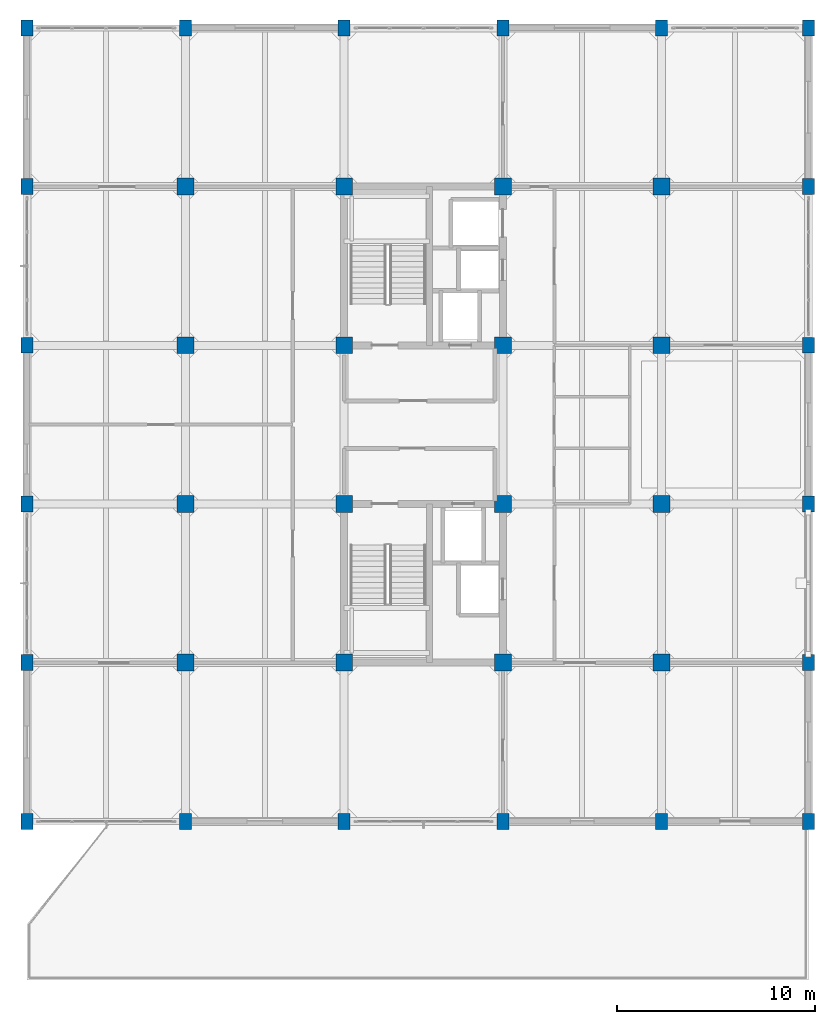
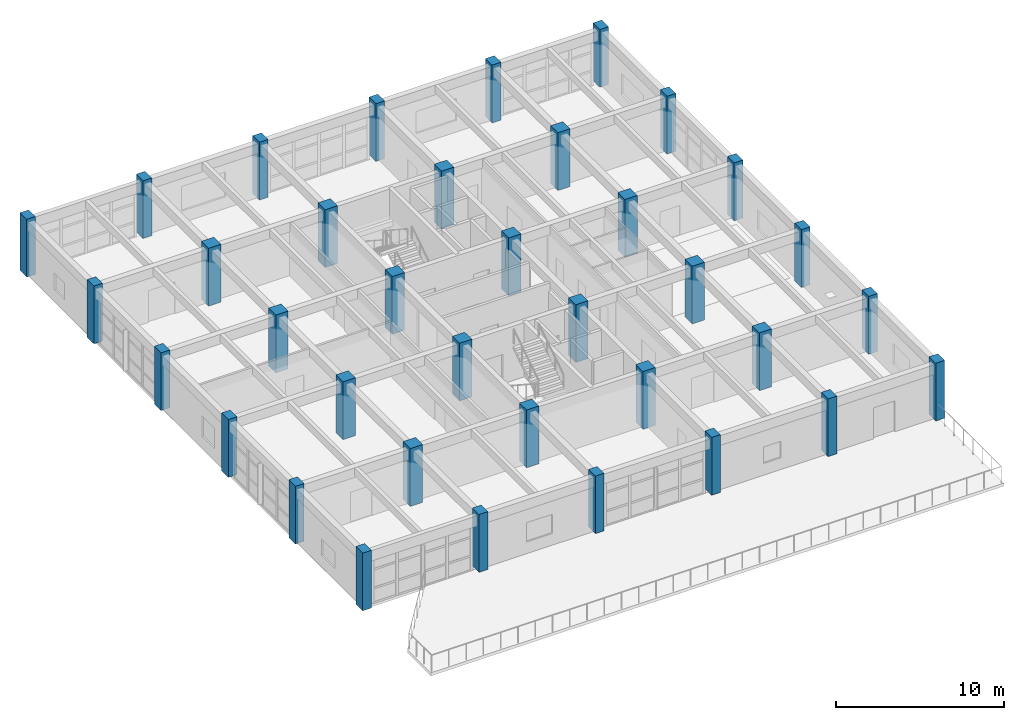
# One storey, part 1 of 30: 36 columns.
"""IFC4 building model written with IfcOpenShell, lengths in metres."""

from ifc_helpers import new_model, si_unit, direction, frame, origin, origin_2d, place, context, subcontext, project, spatial, rectangle, extrude, material, material_profile, profile_set, type_object, element, save


model = new_model("IFC4")

# Units and contexts
model_context = context("Model", 3, precision=1e-05, world=origin(), true_north=direction((0.0, 1.0)))
body_context = subcontext(model_context, "Body", "Model", "MODEL_VIEW")
ifc_project = project(units=[si_unit("LENGTHUNIT", "METRE"), si_unit("AREAUNIT", "SQUARE_METRE"), si_unit("VOLUMEUNIT", "CUBIC_METRE"), si_unit("PLANEANGLEUNIT", "RADIAN"), si_unit("MASSUNIT", "GRAM", prefix="KILO")], contexts=[model_context])

# Site, building, storey
site_placement = place(None, origin())
site = spatial("IfcSite", under=ifc_project, at=site_placement, CompositionType="ELEMENT")
building_placement = place(site_placement, origin())
building = spatial("IfcBuilding", under=site, at=building_placement, Name="Canggui Botanical Conservatory", CompositionType="ELEMENT")
storey_placement = place(building_placement, frame((0.0, 0.0, 27.60009765625)))
storey = spatial("IfcBuildingStorey", under=building, at=storey_placement, Name="L07", CompositionType="ELEMENT", Elevation=27.60009765625)

# Columns
ifc_material = material(Name="Concrete C40", Category="concrete")
ifc_material_profile_1 = material_profile(ifc_material, rectangle(XDim=0.85009765625, YDim=0.85009765625, at=origin_2d()), Name="RC 850x850")
ifc_profile_set_1 = profile_set([ifc_material_profile_1], Name="Concrete C40")
column_type_1 = type_object("IfcColumnType", Name="COL-KZ06", PredefinedType="COLUMN", material=ifc_profile_set_1)
for number, where, z_axis, x_axis, name in (
    (1, (146.0, 42.0, 0.0), (0.0, 0.0, 1.0), (1.0, 0.0, 0.0), "Tower RC Column L07 (146,42)"),
    (2, (146.0, 50.0, 0.0), (0.0, 0.0, 1.0), (1.0, 0.0, 0.0), "Tower RC Column L07 (146,50)"),
    (3, (146.0, 58.0, 0.0), (0.0, 0.0, 1.0), (1.0, 0.0, 0.0), "Tower RC Column L07 (146,58)"),
    (4, (146.0, 66.0, 0.0), (0.0, 0.0, 1.0), (1.0, 0.0, 0.0), "Tower RC Column L07 (146,66)"),
    (5, (154.0, 42.0, 0.0), (0.0, 0.0, 1.0), (1.0, 0.0, 0.0), "Tower RC Column L07 (154,42)"),
    (6, (154.0, 50.0, 0.0), (0.0, 0.0, 1.0), (1.0, 0.0, 0.0), "Tower RC Column L07 (154,50)"),
    (7, (154.0, 58.0, 0.0), (0.0, 0.0, 1.0), (1.0, 0.0, 0.0), "Tower RC Column L07 (154,58)"),
    (8, (154.0, 66.0, 0.0), (0.0, 0.0, 1.0), (1.0, 0.0, 0.0), "Tower RC Column L07 (154,66)"),
    (9, (162.0, 42.0, 0.0), (0.0, 0.0, 1.0), (1.0, 0.0, 0.0), "Tower RC Column L07 (162,42)"),
    (10, (162.0, 50.0, 0.0), (0.0, 0.0, 1.0), (1.0, 0.0, 0.0), "Tower RC Column L07 (162,50)"),
    (11, (162.0, 58.0, 0.0), (0.0, 0.0, 1.0), (1.0, 0.0, 0.0), "Tower RC Column L07 (162,58)"),
    (12, (162.0, 66.0, 0.0), (0.0, 0.0, 1.0), (1.0, 0.0, 0.0), "Tower RC Column L07 (162,66)"),
    (13, (170.0, 42.0, 0.0), (0.0, 0.0, 1.0), (1.0, 0.0, 0.0), "Tower RC Column L07 (170,42)"),
    (14, (170.0, 50.0, 0.0), (0.0, 0.0, 1.0), (1.0, 0.0, 0.0), "Tower RC Column L07 (170,50)"),
    (15, (170.0, 58.0, 0.0), (0.0, 0.0, 1.0), (1.0, 0.0, 0.0), "Tower RC Column L07 (170,58)"),
    (16, (170.0, 66.0, 0.0), (0.0, 0.0, 1.0), (1.0, 0.0, 0.0), "Tower RC Column L07 (170,66)"),
):
    element("IfcColumn", number, at=place(storey_placement, frame(where, z_axis=z_axis, x_axis=x_axis)), inside=storey, type_object=column_type_1, Name=name, PredefinedType="COLUMN", context=body_context, shape_type="SweptSolid", body=[
        extrude(rectangle(XDim=0.85009765625, YDim=0.85009765625, at=origin_2d()), origin(), (0.0, 0.0, 1.0), 4.199951171875),
    ])
ifc_material_profile_2 = material_profile(ifc_material, rectangle(XDim=0.60009765625, YDim=0.800048828125, at=origin_2d()), Name="RC 600x800")
ifc_profile_set_2 = profile_set([ifc_material_profile_2], Name="Concrete C40")
column_type_2 = type_object("IfcColumnType", Name="COL-KZ16", PredefinedType="COLUMN", material=ifc_profile_set_2)
for number, where, z_axis, x_axis, name in (
    (17, (138.0, 34.0, 0.0), (0.0, 0.0, 1.0), (1.0, 0.0, 0.0), "Tower RC Column L07 (138,34)"),
    (18, (138.0, 42.0, 0.0), (0.0, 0.0, 1.0), (1.0, 0.0, 0.0), "Tower RC Column L07 (138,42)"),
    (19, (138.0, 50.0, 0.0), (0.0, 0.0, 1.0), (1.0, 0.0, 0.0), "Tower RC Column L07 (138,50)"),
    (20, (138.0, 58.0, 0.0), (0.0, 0.0, 1.0), (1.0, 0.0, 0.0), "Tower RC Column L07 (138,58)"),
    (21, (138.0, 66.0, 0.0), (0.0, 0.0, 1.0), (1.0, 0.0, 0.0), "Tower RC Column L07 (138,66)"),
    (22, (138.0, 74.0, 0.0), (0.0, 0.0, 1.0), (1.0, 0.0, 0.0), "Tower RC Column L07 (138,74)"),
    (23, (146.0, 34.0, 0.0), (0.0, 0.0, 1.0), (1.0, 0.0, 0.0), "Tower RC Column L07 (146,34)"),
    (24, (146.0, 74.0, 0.0), (0.0, 0.0, 1.0), (1.0, 0.0, 0.0), "Tower RC Column L07 (146,74)"),
    (25, (154.0, 34.0, 0.0), (0.0, 0.0, 1.0), (1.0, 0.0, 0.0), "Tower RC Column L07 (154,34)"),
    (26, (154.0, 74.0, 0.0), (0.0, 0.0, 1.0), (1.0, 0.0, 0.0), "Tower RC Column L07 (154,74)"),
    (27, (162.0, 34.0, 0.0), (0.0, 0.0, 1.0), (1.0, 0.0, 0.0), "Tower RC Column L07 (162,34)"),
    (28, (162.0, 74.0, 0.0), (0.0, 0.0, 1.0), (1.0, 0.0, 0.0), "Tower RC Column L07 (162,74)"),
    (29, (170.0, 34.0, 0.0), (0.0, 0.0, 1.0), (1.0, 0.0, 0.0), "Tower RC Column L07 (170,34)"),
    (30, (170.0, 74.0, 0.0), (0.0, 0.0, 1.0), (1.0, 0.0, 0.0), "Tower RC Column L07 (170,74)"),
    (31, (177.39990234375, 34.0, 0.0), (0.0, 0.0, 1.0), (1.0, 0.0, 0.0), "Tower RC Column L07 (178,34)"),
    (32, (177.39990234375, 42.0, 0.0), (0.0, 0.0, 1.0), (1.0, 0.0, 0.0), "Tower RC Column L07 (178,42)"),
    (33, (177.39990234375, 50.0, 0.0), (0.0, 0.0, 1.0), (1.0, 0.0, 0.0), "Tower RC Column L07 (178,50)"),
    (34, (177.39990234375, 58.0, 0.0), (0.0, 0.0, 1.0), (1.0, 0.0, 0.0), "Tower RC Column L07 (178,58)"),
    (35, (177.39990234375, 66.0, 0.0), (0.0, 0.0, 1.0), (1.0, 0.0, 0.0), "Tower RC Column L07 (178,66)"),
    (36, (177.39990234375, 74.0, 0.0), (0.0, 0.0, 1.0), (1.0, 0.0, 0.0), "Tower RC Column L07 (178,74)"),
):
    element("IfcColumn", number, at=place(storey_placement, frame(where, z_axis=z_axis, x_axis=x_axis)), inside=storey, type_object=column_type_2, Name=name, PredefinedType="COLUMN", context=body_context, shape_type="SweptSolid", body=[
        extrude(rectangle(XDim=0.60009765625, YDim=0.800048828125, at=origin_2d()), origin(), (0.0, 0.0, 1.0), 4.199951171875),
    ])

save(model, "model.ifc")
